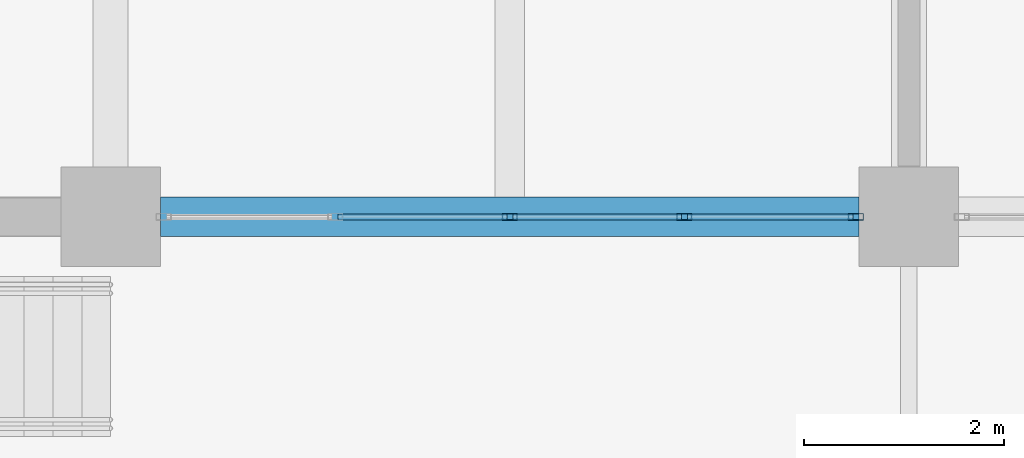
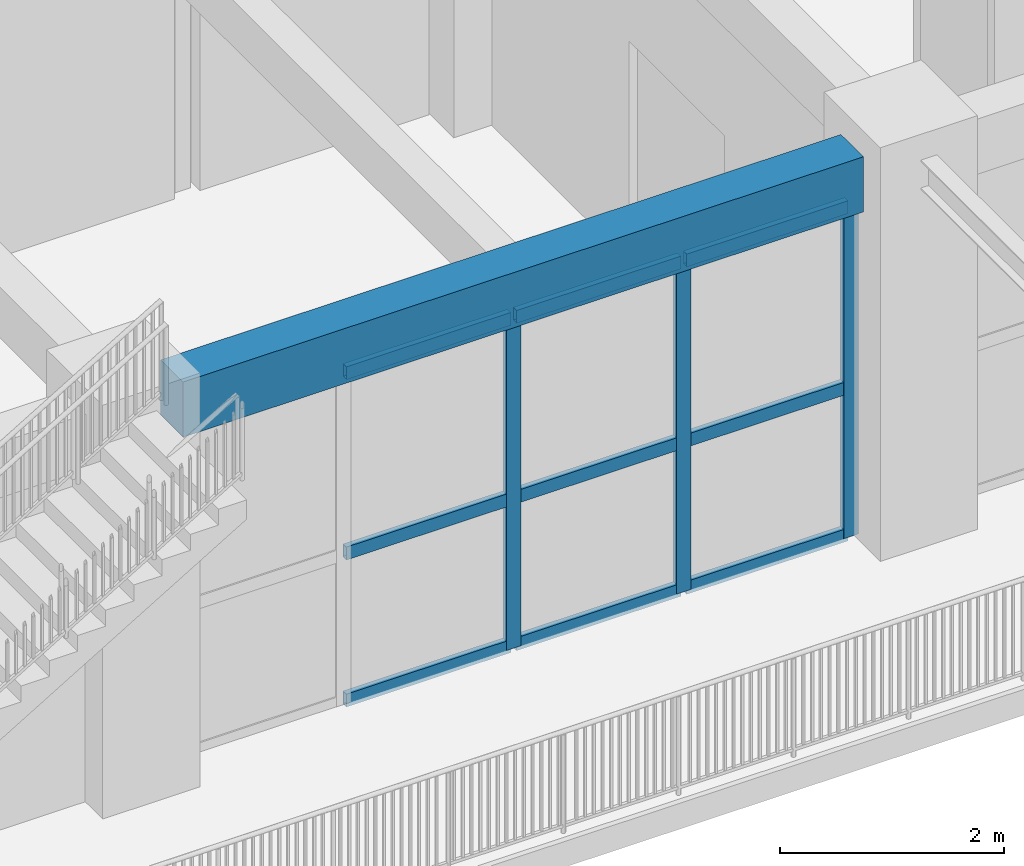
# One storey, part 8 of 79: 12 members, 1 beam, 1 element without a shape of its own.
"""IFC4 building model written with IfcOpenShell, lengths in metres."""

from ifc_helpers import new_model, si_unit, direction, frame, origin, origin_2d, place, context, subcontext, project, spatial, rectangle, hollow_rectangle, extrude, material, material_profile, profile_set, type_object, element, aggregate, save


model = new_model("IFC4")

# Units and contexts
model_context = context("Model", 3, precision=1e-05, world=origin(), true_north=direction((0.0, 1.0)))
body_context = subcontext(model_context, "Body", "Model", "MODEL_VIEW")
ifc_project = project(units=[si_unit("LENGTHUNIT", "METRE"), si_unit("AREAUNIT", "SQUARE_METRE"), si_unit("VOLUMEUNIT", "CUBIC_METRE"), si_unit("PLANEANGLEUNIT", "RADIAN"), si_unit("MASSUNIT", "GRAM", prefix="KILO")], contexts=[model_context])

# Site, building, storey
site_placement = place(None, origin())
site = spatial("IfcSite", under=ifc_project, at=site_placement, CompositionType="ELEMENT")
building_placement = place(site_placement, origin())
building = spatial("IfcBuilding", under=site, at=building_placement, Name="Zantavel Square City Hall", CompositionType="ELEMENT")
storey_placement = place(building_placement, frame((0.0, 0.0, 10.199951171875)))
storey = spatial("IfcBuildingStorey", under=building, at=storey_placement, Name="L03", CompositionType="ELEMENT", Elevation=10.199951171875)

# Curtain wall, members
ifc_material_1 = material(Name="Anodised aluminium 6063-T6", Category="aluminium")
curtain_wall_type = type_object("IfcCurtainWallType", Name="Curtain Wall TRV1 7000x3620", PredefinedType="USERDEFINED", material=ifc_material_1)
curtain_wall_placement = place(storey_placement, origin())
curtain_wall = element("IfcCurtainWall", 1, at=curtain_wall_placement, inside=storey, type_object=curtain_wall_type, Name="L03 Glazed Curtain Wall CW-L03-098", ObjectType="GLAZED CURTAIN WALL", PredefinedType="USERDEFINED")
ifc_material_profile_1 = material_profile(ifc_material_1, hollow_rectangle(XDim=0.06494140625, YDim=0.14990234375, WallThickness=0.00390625, at=origin_2d()), Name="ALU 65x150x4")
ifc_profile_set_1 = profile_set([ifc_material_profile_1], Name="Anodised aluminium 6063-T6")
member_type_1 = type_object("IfcMemberType", Name="CW Mullion ALU 65x150x4", PredefinedType="MULLION", material=ifc_profile_set_1)
member_1_placement = place(storey_placement, frame((71.469970703125, 30.39990234375, 0.0), z_axis=(0.0, 0.0, 1.0), x_axis=(0.0, -1.0, 0.0)))
member_1 = element("IfcMember", 2, at=member_1_placement, type_object=member_type_1, Name="CW-098 mullion 1", PredefinedType="MULLION", context=body_context, shape_type="SweptSolid", body=[
    extrude(hollow_rectangle(XDim=0.06494140625, YDim=0.14990234375, WallThickness=0.00390625, at=origin_2d()), origin(), (0.0, 0.0, 1.0), 3.6201171875),
])
member_2_placement = place(storey_placement, frame((69.75, 30.39990234375, 0.0), z_axis=(0.0, 0.0, 1.0), x_axis=(0.0, -1.0, 0.0)))
member_2 = element("IfcMember", 3, at=member_2_placement, type_object=member_type_1, Name="CW-098 mullion 2", PredefinedType="MULLION", context=body_context, shape_type="SweptSolid", body=[
    extrude(hollow_rectangle(XDim=0.06494140625, YDim=0.14990234375, WallThickness=0.00390625, at=origin_2d()), origin(), (0.0, 0.0, 1.0), 3.6201171875),
])
member_3_placement = place(storey_placement, frame((68.0, 30.39990234375, 0.0), z_axis=(0.0, 0.0, 1.0), x_axis=(0.0, -1.0, 0.0)))
member_3 = element("IfcMember", 4, at=member_3_placement, type_object=member_type_1, Name="CW-098 mullion 3", PredefinedType="MULLION", context=body_context, shape_type="SweptSolid", body=[
    extrude(hollow_rectangle(XDim=0.06494140625, YDim=0.14990234375, WallThickness=0.00390625, at=origin_2d()), origin(), (0.0, 0.0, 1.0), 3.6201171875),
])
ifc_material_profile_2 = material_profile(ifc_material_1, hollow_rectangle(XDim=0.06005859375, YDim=0.139892578125, WallThickness=0.00390625, at=origin_2d()), Name="ALU 60x140x4")
ifc_profile_set_2 = profile_set([ifc_material_profile_2], Name="Anodised aluminium 6063-T6")
member_type_2 = type_object("IfcMemberType", Name="CW Transom ALU 60x140x4", PredefinedType="USERDEFINED", material=ifc_profile_set_2)
member_4_placement = place(storey_placement, frame((71.43994140625, 30.39990234375, 0.030029296875), z_axis=(-1.0, 0.0, 0.0), x_axis=(0.0, -1.0, 0.0)))
member_4 = element("IfcMember", 5, at=member_4_placement, type_object=member_type_2, Name="CW-098 transom 1.1", ObjectType="TRANSOM", PredefinedType="USERDEFINED", context=body_context, shape_type="SweptSolid", body=[
    extrude(hollow_rectangle(XDim=0.06005859375, YDim=0.139892578125, WallThickness=0.00390625, at=origin_2d()), origin(), (0.0, 0.0, 1.0), 1.659912109375),
])
member_5_placement = place(storey_placement, frame((71.43994140625, 30.39990234375, 1.629150390625), z_axis=(-1.0, 0.0, 0.0), x_axis=(0.0, -1.0, 0.0)))
member_5 = element("IfcMember", 6, at=member_5_placement, type_object=member_type_2, Name="CW-098 transom 1.2", ObjectType="TRANSOM", PredefinedType="USERDEFINED", context=body_context, shape_type="SweptSolid", body=[
    extrude(hollow_rectangle(XDim=0.06005859375, YDim=0.139892578125, WallThickness=0.00390625, at=origin_2d()), origin(), (0.0, 0.0, 1.0), 1.659912109375),
])
member_6_placement = place(storey_placement, frame((71.43994140625, 30.39990234375, 3.590087890625), z_axis=(-1.0, 0.0, 0.0), x_axis=(0.0, -1.0, 0.0)))
member_6 = element("IfcMember", 7, at=member_6_placement, type_object=member_type_2, Name="CW-098 transom 1.3", ObjectType="TRANSOM", PredefinedType="USERDEFINED", context=body_context, shape_type="SweptSolid", body=[
    extrude(hollow_rectangle(XDim=0.06005859375, YDim=0.139892578125, WallThickness=0.00390625, at=origin_2d()), origin(), (0.0, 0.0, 1.0), 1.659912109375),
])
member_7_placement = place(storey_placement, frame((69.719970703125, 30.39990234375, 0.030029296875), z_axis=(-1.0, 0.0, 0.0), x_axis=(0.0, -1.0, 0.0)))
member_7 = element("IfcMember", 8, at=member_7_placement, type_object=member_type_2, Name="CW-098 transom 2.1", ObjectType="TRANSOM", PredefinedType="USERDEFINED", context=body_context, shape_type="SweptSolid", body=[
    extrude(hollow_rectangle(XDim=0.06005859375, YDim=0.139892578125, WallThickness=0.00390625, at=origin_2d()), origin(), (0.0, 0.0, 1.0), 1.68994140625),
])
member_8_placement = place(storey_placement, frame((69.719970703125, 30.39990234375, 1.629150390625), z_axis=(-1.0, 0.0, 0.0), x_axis=(0.0, -1.0, 0.0)))
member_8 = element("IfcMember", 9, at=member_8_placement, type_object=member_type_2, Name="CW-098 transom 2.2", ObjectType="TRANSOM", PredefinedType="USERDEFINED", context=body_context, shape_type="SweptSolid", body=[
    extrude(hollow_rectangle(XDim=0.06005859375, YDim=0.139892578125, WallThickness=0.00390625, at=origin_2d()), origin(), (0.0, 0.0, 1.0), 1.68994140625),
])
member_9_placement = place(storey_placement, frame((69.719970703125, 30.39990234375, 3.590087890625), z_axis=(-1.0, 0.0, 0.0), x_axis=(0.0, -1.0, 0.0)))
member_9 = element("IfcMember", 10, at=member_9_placement, type_object=member_type_2, Name="CW-098 transom 2.3", ObjectType="TRANSOM", PredefinedType="USERDEFINED", context=body_context, shape_type="SweptSolid", body=[
    extrude(hollow_rectangle(XDim=0.06005859375, YDim=0.139892578125, WallThickness=0.00390625, at=origin_2d()), origin(), (0.0, 0.0, 1.0), 1.68994140625),
])
member_10_placement = place(storey_placement, frame((67.969970703125, 30.39990234375, 0.030029296875), z_axis=(-1.0, 0.0, 0.0), x_axis=(0.0, -1.0, 0.0)))
member_10 = element("IfcMember", 11, at=member_10_placement, type_object=member_type_2, Name="CW-098 transom 3.1", ObjectType="TRANSOM", PredefinedType="USERDEFINED", context=body_context, shape_type="SweptSolid", body=[
    extrude(hollow_rectangle(XDim=0.06005859375, YDim=0.139892578125, WallThickness=0.00390625, at=origin_2d()), origin(), (0.0, 0.0, 1.0), 1.68994140625),
])
member_11_placement = place(storey_placement, frame((67.969970703125, 30.39990234375, 1.629150390625), z_axis=(-1.0, 0.0, 0.0), x_axis=(0.0, -1.0, 0.0)))
member_11 = element("IfcMember", 12, at=member_11_placement, type_object=member_type_2, Name="CW-098 transom 3.2", ObjectType="TRANSOM", PredefinedType="USERDEFINED", context=body_context, shape_type="SweptSolid", body=[
    extrude(hollow_rectangle(XDim=0.06005859375, YDim=0.139892578125, WallThickness=0.00390625, at=origin_2d()), origin(), (0.0, 0.0, 1.0), 1.68994140625),
])
member_12_placement = place(storey_placement, frame((67.969970703125, 30.39990234375, 3.590087890625), z_axis=(-1.0, 0.0, 0.0), x_axis=(0.0, -1.0, 0.0)))
member_12 = element("IfcMember", 13, at=member_12_placement, type_object=member_type_2, Name="CW-098 transom 3.3", ObjectType="TRANSOM", PredefinedType="USERDEFINED", context=body_context, shape_type="SweptSolid", body=[
    extrude(hollow_rectangle(XDim=0.06005859375, YDim=0.139892578125, WallThickness=0.00390625, at=origin_2d()), origin(), (0.0, 0.0, 1.0), 1.68994140625),
])
aggregate(curtain_wall, [member_1, member_2, member_3, member_4, member_5, member_6, member_7, member_8, member_9, member_10, member_11, member_12])

# Beam
ifc_material_2 = material(Name="Concrete C35/45", Category="concrete")
ifc_material_profile_3 = material_profile(ifc_material_2, rectangle(XDim=0.39990234375, YDim=0.60009765625, at=origin_2d()), Name="RC 400x600")
ifc_profile_set_3 = profile_set([ifc_material_profile_3], Name="Concrete C35/45")
beam_type = type_object("IfcBeamType", Name="Perimeter Spandrel RC 400x600 C35/45", PredefinedType="SPANDREL", material=ifc_profile_set_3)
beam_placement = place(storey_placement, frame((64.5, 30.39990234375, 3.920166015625), z_axis=(1.0, 0.0, 0.0), x_axis=(0.0, 1.0, 0.0)))
element("IfcBeam", 14, at=beam_placement, inside=storey, type_object=beam_type, Name="L03 Girder BMX-L03-0640-0304", PredefinedType="SPANDREL", context=body_context, shape_type="SweptSolid", body=[
    extrude(rectangle(XDim=0.39990234375, YDim=0.60009765625, at=origin_2d()), origin(), (0.0, 0.0, 1.0), 7.0),
])

save(model, "model.ifc")
